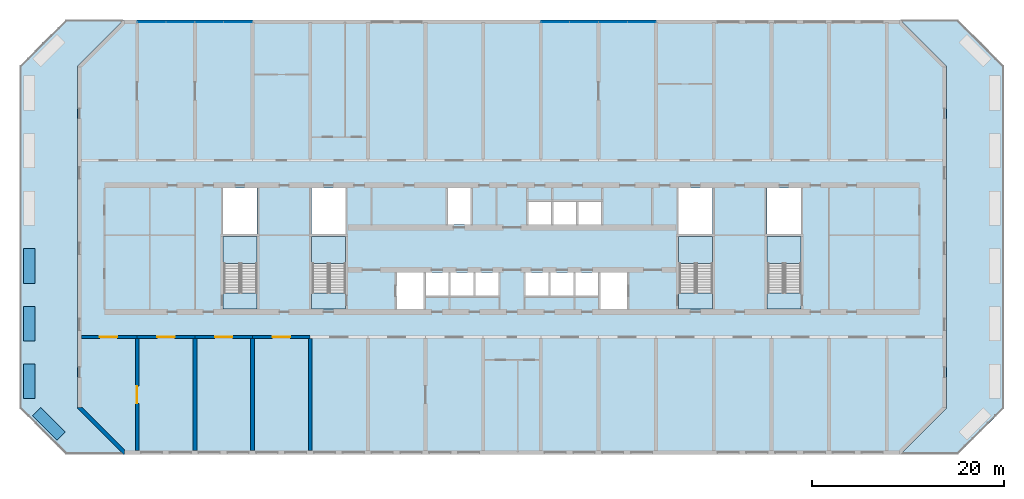
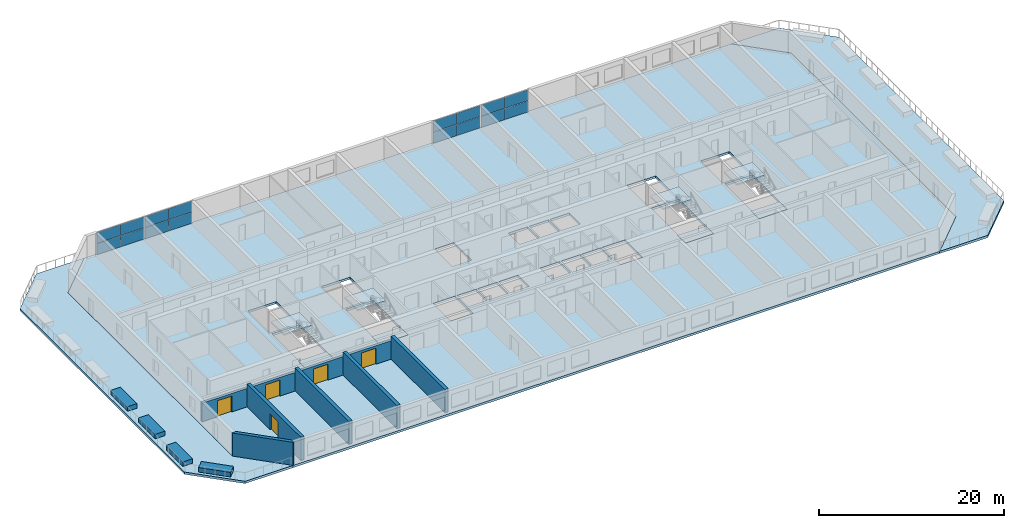
# One storey, part 6 of 21: 16 plates, 13 walls, 11 slabs, 5 doors, 5 openings, 8 elements without a shape of their own.
"""IFC4 building model written with IfcOpenShell, lengths in metres."""

from ifc_helpers import new_model, si_unit, direction, frame, frame_2d, origin, origin_2d, place, context, subcontext, project, spatial, polyline, rectangle, outline, extrude, source, transform, mapped, material, layer, layer_set, type_object, element, fill, aggregate, save


model = new_model("IFC4")

# Units and contexts
model_context = context("Model", 3, precision=1e-05, world=origin(), true_north=direction((0.0, 1.0)))
body_context = subcontext(model_context, "Body", "Model", "MODEL_VIEW")
ifc_project = project(units=[si_unit("LENGTHUNIT", "METRE"), si_unit("AREAUNIT", "SQUARE_METRE"), si_unit("VOLUMEUNIT", "CUBIC_METRE"), si_unit("PLANEANGLEUNIT", "RADIAN"), si_unit("MASSUNIT", "GRAM", prefix="KILO")], contexts=[model_context])

# Site, building, storey
site_placement = place(None, origin())
site = spatial("IfcSite", under=ifc_project, at=site_placement, CompositionType="ELEMENT")
building_placement = place(site_placement, origin())
building = spatial("IfcBuilding", under=site, at=building_placement, Name="Poui Terraces", CompositionType="ELEMENT")
storey_placement = place(building_placement, frame((0.0, 0.0, 53.10009765625)))
storey = spatial("IfcBuildingStorey", under=building, at=storey_placement, Name="L14", CompositionType="ELEMENT", Elevation=53.10009765625)

# Curtain wall, plates
ifc_material_1 = material(Name="Clear glass", Category="glass")
ifc_layer_1 = layer(ifc_material_1, 0.14990234375)
ifc_layer_set_1 = layer_set([ifc_layer_1], Name="Clear glass")
curtain_wall_type = type_object("IfcCurtainWallType", Name="CURTAIN WALL CW-C COMMUNITY HALL GLAZING", PredefinedType="NOTDEFINED", material=ifc_layer_set_1)
curtain_wall_1_placement = place(storey_placement, origin())
curtain_wall_1 = element("IfcCurtainWall", 1, at=curtain_wall_1_placement, inside=storey, type_object=curtain_wall_type, Name="CW-C COMMUNITY HALL GLAZING", PredefinedType="NOTDEFINED")
ifc_layer_2 = layer(ifc_material_1, 0.052001953125)
ifc_layer_set_2 = layer_set([ifc_layer_2], Name="Clear glass")
plate_type = type_object("IfcPlateType", Name="CW-C GLASS PANEL 52", PredefinedType="CURTAIN_PANEL", material=ifc_layer_set_2)
plate_1_placement = place(storey_placement, frame((16.487548828125, 44.800048828125, 0.0498046875), z_axis=(0.0, 0.0, 1.0), x_axis=(-1.0, 0.0, 0.0)))
plate_1 = element("IfcPlate", 2, at=plate_1_placement, type_object=plate_type, Name="CW-C panel 1.1", PredefinedType="CURTAIN_PANEL", context=body_context, shape_type="SweptSolid", body=[
    extrude(rectangle(XDim=2.925048828125, YDim=0.052001953125, at=origin_2d()), origin(), (0.0, 0.0, 1.0), 1.449951171875),
])
plate_2_placement = place(storey_placement, frame((16.487548828125, 44.800048828125, 1.5498046875), z_axis=(0.0, 0.0, 1.0), x_axis=(-1.0, 0.0, 0.0)))
plate_2 = element("IfcPlate", 3, at=plate_2_placement, type_object=plate_type, Name="CW-C panel 1.2", PredefinedType="CURTAIN_PANEL", context=body_context, shape_type="SweptSolid", body=[
    extrude(rectangle(XDim=2.925048828125, YDim=0.052001953125, at=origin_2d()), origin(), (0.0, 0.0, 1.0), 1.449951171875),
])
plate_3_placement = place(storey_placement, frame((13.512451171875, 44.800048828125, 0.0498046875), z_axis=(0.0, 0.0, 1.0), x_axis=(-1.0, 0.0, 0.0)))
plate_3 = element("IfcPlate", 4, at=plate_3_placement, type_object=plate_type, Name="CW-C panel 2.1", PredefinedType="CURTAIN_PANEL", context=body_context, shape_type="SweptSolid", body=[
    extrude(rectangle(XDim=2.925048828125, YDim=0.052001953125, at=origin_2d()), origin(), (0.0, 0.0, 1.0), 1.449951171875),
])
plate_4_placement = place(storey_placement, frame((13.512451171875, 44.800048828125, 1.5498046875), z_axis=(0.0, 0.0, 1.0), x_axis=(-1.0, 0.0, 0.0)))
plate_4 = element("IfcPlate", 5, at=plate_4_placement, type_object=plate_type, Name="CW-C panel 2.2", PredefinedType="CURTAIN_PANEL", context=body_context, shape_type="SweptSolid", body=[
    extrude(rectangle(XDim=2.925048828125, YDim=0.052001953125, at=origin_2d()), origin(), (0.0, 0.0, 1.0), 1.449951171875),
])
aggregate(curtain_wall_1, [plate_1, plate_2, plate_3, plate_4])

curtain_wall_2_placement = place(storey_placement, origin())
curtain_wall_2 = element("IfcCurtainWall", 6, at=curtain_wall_2_placement, inside=storey, type_object=curtain_wall_type, Name="CW-C COMMUNITY HALL GLAZING", PredefinedType="NOTDEFINED")
plate_5_placement = place(storey_placement, frame((22.487548828125, 44.800048828125, 0.0498046875), z_axis=(0.0, 0.0, 1.0), x_axis=(-1.0, 0.0, 0.0)))
plate_5 = element("IfcPlate", 7, at=plate_5_placement, type_object=plate_type, Name="CW-C panel 1.1", PredefinedType="CURTAIN_PANEL", context=body_context, shape_type="SweptSolid", body=[
    extrude(rectangle(XDim=2.925048828125, YDim=0.052001953125, at=origin_2d()), origin(), (0.0, 0.0, 1.0), 1.449951171875),
])
plate_6_placement = place(storey_placement, frame((22.487548828125, 44.800048828125, 1.5498046875), z_axis=(0.0, 0.0, 1.0), x_axis=(-1.0, 0.0, 0.0)))
plate_6 = element("IfcPlate", 8, at=plate_6_placement, type_object=plate_type, Name="CW-C panel 1.2", PredefinedType="CURTAIN_PANEL", context=body_context, shape_type="SweptSolid", body=[
    extrude(rectangle(XDim=2.925048828125, YDim=0.052001953125, at=origin_2d()), origin(), (0.0, 0.0, 1.0), 1.449951171875),
])
plate_7_placement = place(storey_placement, frame((19.512451171875, 44.800048828125, 0.0498046875), z_axis=(0.0, 0.0, 1.0), x_axis=(-1.0, 0.0, 0.0)))
plate_7 = element("IfcPlate", 9, at=plate_7_placement, type_object=plate_type, Name="CW-C panel 2.1", PredefinedType="CURTAIN_PANEL", context=body_context, shape_type="SweptSolid", body=[
    extrude(rectangle(XDim=2.925048828125, YDim=0.052001953125, at=origin_2d()), origin(), (0.0, 0.0, 1.0), 1.449951171875),
])
plate_8_placement = place(storey_placement, frame((19.512451171875, 44.800048828125, 1.5498046875), z_axis=(0.0, 0.0, 1.0), x_axis=(-1.0, 0.0, 0.0)))
plate_8 = element("IfcPlate", 10, at=plate_8_placement, type_object=plate_type, Name="CW-C panel 2.2", PredefinedType="CURTAIN_PANEL", context=body_context, shape_type="SweptSolid", body=[
    extrude(rectangle(XDim=2.925048828125, YDim=0.052001953125, at=origin_2d()), origin(), (0.0, 0.0, 1.0), 1.449951171875),
])
aggregate(curtain_wall_2, [plate_5, plate_6, plate_7, plate_8])

curtain_wall_3_placement = place(storey_placement, origin())
curtain_wall_3 = element("IfcCurtainWall", 11, at=curtain_wall_3_placement, inside=storey, type_object=curtain_wall_type, Name="CW-C COMMUNITY HALL GLAZING", PredefinedType="NOTDEFINED")
plate_9_placement = place(storey_placement, frame((58.487548828125, 44.800048828125, 0.0498046875), z_axis=(0.0, 0.0, 1.0), x_axis=(-1.0, 0.0, 0.0)))
plate_9 = element("IfcPlate", 12, at=plate_9_placement, type_object=plate_type, Name="CW-C panel 1.1", PredefinedType="CURTAIN_PANEL", context=body_context, shape_type="SweptSolid", body=[
    extrude(rectangle(XDim=2.925048828125, YDim=0.052001953125, at=origin_2d()), origin(), (0.0, 0.0, 1.0), 1.449951171875),
])
plate_10_placement = place(storey_placement, frame((58.487548828125, 44.800048828125, 1.5498046875), z_axis=(0.0, 0.0, 1.0), x_axis=(-1.0, 0.0, 0.0)))
plate_10 = element("IfcPlate", 13, at=plate_10_placement, type_object=plate_type, Name="CW-C panel 1.2", PredefinedType="CURTAIN_PANEL", context=body_context, shape_type="SweptSolid", body=[
    extrude(rectangle(XDim=2.925048828125, YDim=0.052001953125, at=origin_2d()), origin(), (0.0, 0.0, 1.0), 1.449951171875),
])
plate_11_placement = place(storey_placement, frame((55.512451171875, 44.800048828125, 0.0498046875), z_axis=(0.0, 0.0, 1.0), x_axis=(-1.0, 0.0, 0.0)))
plate_11 = element("IfcPlate", 14, at=plate_11_placement, type_object=plate_type, Name="CW-C panel 2.1", PredefinedType="CURTAIN_PANEL", context=body_context, shape_type="SweptSolid", body=[
    extrude(rectangle(XDim=2.925048828125, YDim=0.052001953125, at=origin_2d()), origin(), (0.0, 0.0, 1.0), 1.449951171875),
])
plate_12_placement = place(storey_placement, frame((55.512451171875, 44.800048828125, 1.5498046875), z_axis=(0.0, 0.0, 1.0), x_axis=(-1.0, 0.0, 0.0)))
plate_12 = element("IfcPlate", 15, at=plate_12_placement, type_object=plate_type, Name="CW-C panel 2.2", PredefinedType="CURTAIN_PANEL", context=body_context, shape_type="SweptSolid", body=[
    extrude(rectangle(XDim=2.925048828125, YDim=0.052001953125, at=origin_2d()), origin(), (0.0, 0.0, 1.0), 1.449951171875),
])
aggregate(curtain_wall_3, [plate_9, plate_10, plate_11, plate_12])

curtain_wall_4_placement = place(storey_placement, origin())
curtain_wall_4 = element("IfcCurtainWall", 16, at=curtain_wall_4_placement, inside=storey, type_object=curtain_wall_type, Name="CW-C COMMUNITY HALL GLAZING", PredefinedType="NOTDEFINED")
plate_13_placement = place(storey_placement, frame((64.487548828125, 44.800048828125, 0.0498046875), z_axis=(0.0, 0.0, 1.0), x_axis=(-1.0, 0.0, 0.0)))
plate_13 = element("IfcPlate", 17, at=plate_13_placement, type_object=plate_type, Name="CW-C panel 1.1", PredefinedType="CURTAIN_PANEL", context=body_context, shape_type="SweptSolid", body=[
    extrude(rectangle(XDim=2.925048828125, YDim=0.052001953125, at=origin_2d()), origin(), (0.0, 0.0, 1.0), 1.449951171875),
])
plate_14_placement = place(storey_placement, frame((64.487548828125, 44.800048828125, 1.5498046875), z_axis=(0.0, 0.0, 1.0), x_axis=(-1.0, 0.0, 0.0)))
plate_14 = element("IfcPlate", 18, at=plate_14_placement, type_object=plate_type, Name="CW-C panel 1.2", PredefinedType="CURTAIN_PANEL", context=body_context, shape_type="SweptSolid", body=[
    extrude(rectangle(XDim=2.925048828125, YDim=0.052001953125, at=origin_2d()), origin(), (0.0, 0.0, 1.0), 1.449951171875),
])
plate_15_placement = place(storey_placement, frame((61.512451171875, 44.800048828125, 0.0498046875), z_axis=(0.0, 0.0, 1.0), x_axis=(-1.0, 0.0, 0.0)))
plate_15 = element("IfcPlate", 19, at=plate_15_placement, type_object=plate_type, Name="CW-C panel 2.1", PredefinedType="CURTAIN_PANEL", context=body_context, shape_type="SweptSolid", body=[
    extrude(rectangle(XDim=2.925048828125, YDim=0.052001953125, at=origin_2d()), origin(), (0.0, 0.0, 1.0), 1.449951171875),
])
plate_16_placement = place(storey_placement, frame((61.512451171875, 44.800048828125, 1.5498046875), z_axis=(0.0, 0.0, 1.0), x_axis=(-1.0, 0.0, 0.0)))
plate_16 = element("IfcPlate", 20, at=plate_16_placement, type_object=plate_type, Name="CW-C panel 2.2", PredefinedType="CURTAIN_PANEL", context=body_context, shape_type="SweptSolid", body=[
    extrude(rectangle(XDim=2.925048828125, YDim=0.052001953125, at=origin_2d()), origin(), (0.0, 0.0, 1.0), 1.449951171875),
])
aggregate(curtain_wall_4, [plate_13, plate_14, plate_15, plate_16])

# Stair, slabs
ifc_material_2 = material(Name="Concrete 80 MPa", Category="concrete")
stair_type = type_object("IfcStairType", Name="EXIT STAIR 1650 80 MPA", PredefinedType="HALF_TURN_STAIR", material=ifc_material_2)
stair_1_placement = place(storey_placement, origin())
stair_1 = element("IfcStair", 21, at=stair_1_placement, inside=storey, type_object=stair_type, Name="L14 CORE STAIR EAST", PredefinedType="HALF_TURN_STAIR")
ifc_layer_3 = layer(ifc_material_2, 0.199951171875)
ifc_layer_set_3 = layer_set([ifc_layer_3], Name="Concrete 80 MPa")
slab_type_1 = type_object("IfcSlabType", Name="STAIR LANDING 200 80 MPA", PredefinedType="LANDING", material=ifc_layer_set_3)
slab_1_placement = place(storey_placement, frame((0.0, 0.0, 1.44970703125)))
slab_1 = element("IfcSlab", 22, at=slab_1_placement, type_object=slab_type_1, Name="ST-CE landing 1", PredefinedType="LANDING", context=body_context, shape_type="SweptSolid", body=[
    extrude(outline(polyline([(68.324951171875, 19.679931640625), (71.875, 19.679931640625), (71.875, 22.47509765625), (68.324951171875, 22.47509765625), (68.324951171875, 19.679931640625)])), origin(), (0.0, 0.0, 1.0), 0.2001953125),
])
slab_2_placement = place(storey_placement, frame((0.0, 0.0, -0.2001953125)))
slab_2 = element("IfcSlab", 23, at=slab_2_placement, type_object=slab_type_1, Name="ST-CE landing 2", PredefinedType="LANDING", context=body_context, shape_type="SweptSolid", body=[
    extrude(outline(polyline([(68.324951171875, 14.89990234375), (71.875, 14.89990234375), (71.875, 16.60009765625), (68.324951171875, 16.60009765625), (68.324951171875, 14.89990234375)])), origin(), (0.0, 0.0, 1.0), 0.2001953125),
])
aggregate(stair_1, [slab_1, slab_2])

stair_2_placement = place(storey_placement, origin())
stair_2 = element("IfcStair", 24, at=stair_2_placement, inside=storey, type_object=stair_type, Name="L14 CORE STAIR WEST", PredefinedType="HALF_TURN_STAIR")
slab_3_placement = place(storey_placement, frame((0.0, 0.0, 1.44970703125)))
slab_3 = element("IfcSlab", 25, at=slab_3_placement, type_object=slab_type_1, Name="ST-CW landing 1", PredefinedType="LANDING", context=body_context, shape_type="SweptSolid", body=[
    extrude(outline(polyline([(30.125, 19.679931640625), (33.675048828125, 19.679931640625), (33.675048828125, 22.47509765625), (30.125, 22.47509765625), (30.125, 19.679931640625)])), origin(), (0.0, 0.0, 1.0), 0.2001953125),
])
slab_4_placement = place(storey_placement, frame((0.0, 0.0, -0.2001953125)))
slab_4 = element("IfcSlab", 26, at=slab_4_placement, type_object=slab_type_1, Name="ST-CW landing 2", PredefinedType="LANDING", context=body_context, shape_type="SweptSolid", body=[
    extrude(outline(polyline([(30.125, 14.89990234375), (33.675048828125, 14.89990234375), (33.675048828125, 16.60009765625), (30.125, 16.60009765625), (30.125, 14.89990234375)])), origin(), (0.0, 0.0, 1.0), 0.2001953125),
])
aggregate(stair_2, [slab_3, slab_4])

stair_3_placement = place(storey_placement, origin())
stair_3 = element("IfcStair", 27, at=stair_3_placement, inside=storey, type_object=stair_type, Name="L14 TIP STAIR EAST", PredefinedType="HALF_TURN_STAIR")
slab_5_placement = place(storey_placement, frame((0.0, 0.0, 1.44970703125)))
slab_5 = element("IfcSlab", 28, at=slab_5_placement, type_object=slab_type_1, Name="ST-E landing 1", PredefinedType="LANDING", context=body_context, shape_type="SweptSolid", body=[
    extrude(outline(polyline([(77.52490234375, 19.679931640625), (81.074951171875, 19.679931640625), (81.074951171875, 22.47509765625), (77.52490234375, 22.47509765625), (77.52490234375, 19.679931640625)])), origin(), (0.0, 0.0, 1.0), 0.2001953125),
])
slab_6_placement = place(storey_placement, frame((0.0, 0.0, -0.2001953125)))
slab_6 = element("IfcSlab", 29, at=slab_6_placement, type_object=slab_type_1, Name="ST-E landing 2", PredefinedType="LANDING", context=body_context, shape_type="SweptSolid", body=[
    extrude(outline(polyline([(77.52490234375, 14.89990234375), (81.074951171875, 14.89990234375), (81.074951171875, 16.60009765625), (77.52490234375, 16.60009765625), (77.52490234375, 14.89990234375)])), origin(), (0.0, 0.0, 1.0), 0.2001953125),
])
aggregate(stair_3, [slab_5, slab_6])

stair_4_placement = place(storey_placement, origin())
stair_4 = element("IfcStair", 30, at=stair_4_placement, inside=storey, type_object=stair_type, Name="L14 TIP STAIR WEST", PredefinedType="HALF_TURN_STAIR")
slab_7_placement = place(storey_placement, frame((0.0, 0.0, 1.44970703125)))
slab_7 = element("IfcSlab", 31, at=slab_7_placement, type_object=slab_type_1, Name="ST-W landing 1", PredefinedType="LANDING", context=body_context, shape_type="SweptSolid", body=[
    extrude(outline(polyline([(20.925048828125, 19.679931640625), (24.47509765625, 19.679931640625), (24.47509765625, 22.47509765625), (20.925048828125, 22.47509765625), (20.925048828125, 19.679931640625)])), origin(), (0.0, 0.0, 1.0), 0.2001953125),
])
slab_8_placement = place(storey_placement, frame((0.0, 0.0, -0.2001953125)))
slab_8 = element("IfcSlab", 32, at=slab_8_placement, type_object=slab_type_1, Name="ST-W landing 2", PredefinedType="LANDING", context=body_context, shape_type="SweptSolid", body=[
    extrude(outline(polyline([(20.925048828125, 14.89990234375), (24.47509765625, 14.89990234375), (24.47509765625, 16.60009765625), (20.925048828125, 16.60009765625), (20.925048828125, 14.89990234375)])), origin(), (0.0, 0.0, 1.0), 0.2001953125),
])
aggregate(stair_4, [slab_7, slab_8])

# Slabs
ifc_material_3 = material(Name="Concrete 40 MPa", Category="concrete")
ifc_layer_4 = layer(ifc_material_3, 0.300048828125)
ifc_layer_set_4 = layer_set([ifc_layer_4], Name="Concrete 40 MPa")
slab_type_2 = type_object("IfcSlabType", Name="FLOOR SLAB 300", PredefinedType="FLOOR", material=ifc_layer_set_4)
shared_shape_1 = source(origin(), body_context, "Body", "SweptSolid", [
    extrude(outline(polyline([(0.0, 0.0), (4.800048828125, -4.800048828125), (85.599853515625, -4.800048828125), (90.39990234375, 0.0), (90.39990234375, 35.599853515625), (85.599853515625, 40.39990234375), (4.800048828125, 40.39990234375), (0.0, 35.599853515625), (0.0, 0.0)]), holes=[polyline([(33.199951171875, 10.2998046875), (33.199951171875, 14.099853515625), (36.0, 14.099853515625), (36.0, 10.2998046875), (33.199951171875, 10.2998046875)]), polyline([(36.199951171875, 11.699951171875), (36.199951171875, 14.099853515625), (38.599853515625, 14.099853515625), (38.599853515625, 11.699951171875), (36.199951171875, 11.699951171875)]), polyline([(38.800048828125, 11.699951171875), (38.800048828125, 14.099853515625), (41.199951171875, 14.099853515625), (41.199951171875, 11.699951171875), (38.800048828125, 11.699951171875)]), polyline([(41.39990234375, 14.099853515625), (43.800048828125, 14.099853515625), (43.800048828125, 11.699951171875), (41.39990234375, 11.699951171875), (41.39990234375, 14.099853515625)]), polyline([(46.599853515625, 14.099853515625), (49.0, 14.099853515625), (49.0, 11.699951171875), (46.599853515625, 11.699951171875), (46.599853515625, 14.099853515625)]), polyline([(15.224853515625, 17.849853515625), (18.675048828125, 17.849853515625), (18.675048828125, 12.0), (18.675048828125, 10.2998046875), (15.125, 10.2998046875), (15.125, 12.0), (15.224853515625, 12.0), (15.224853515625, 17.849853515625)]), polyline([(24.425048828125, 17.849853515625), (27.875, 17.849853515625), (27.875, 12.0), (27.875, 10.2998046875), (24.324951171875, 10.2998046875), (24.324951171875, 12.0), (24.425048828125, 12.0), (24.425048828125, 17.849853515625)]), polyline([(15.125, 18.125), (15.125, 22.89990234375), (18.675048828125, 22.89990234375), (18.675048828125, 18.125), (15.125, 18.125)]), polyline([(24.324951171875, 22.89990234375), (27.875, 22.89990234375), (27.875, 18.125), (24.324951171875, 18.125), (24.324951171875, 22.89990234375)]), polyline([(38.5, 22.89990234375), (40.89990234375, 22.89990234375), (40.89990234375, 19.099853515625), (38.5, 19.099853515625), (38.5, 22.89990234375)]), polyline([(54.39990234375, 10.2998046875), (54.39990234375, 14.099853515625), (57.199951171875, 14.099853515625), (57.199951171875, 10.2998046875), (54.39990234375, 10.2998046875)]), polyline([(49.199951171875, 11.699951171875), (49.199951171875, 14.099853515625), (51.599853515625, 14.099853515625), (51.599853515625, 11.699951171875), (49.199951171875, 11.699951171875)]), polyline([(51.800048828125, 11.699951171875), (51.800048828125, 14.099853515625), (54.199951171875, 14.099853515625), (54.199951171875, 11.699951171875), (51.800048828125, 11.699951171875)]), polyline([(66.074951171875, 17.849853515625), (66.074951171875, 12.0), (66.074951171875, 10.2998046875), (62.52490234375, 10.2998046875), (62.52490234375, 12.0), (62.625, 12.0), (62.625, 17.849853515625), (66.074951171875, 17.849853515625)]), polyline([(75.27490234375, 17.849853515625), (75.27490234375, 12.0), (75.27490234375, 10.2998046875), (71.724853515625, 10.2998046875), (71.724853515625, 12.0), (71.824951171875, 12.0), (71.824951171875, 17.849853515625), (75.27490234375, 17.849853515625)]), polyline([(46.89990234375, 19.099853515625), (46.89990234375, 21.5), (49.300048828125, 21.5), (49.300048828125, 19.099853515625), (46.89990234375, 19.099853515625)]), polyline([(49.5, 19.099853515625), (49.5, 21.5), (51.89990234375, 21.5), (51.89990234375, 19.099853515625), (49.5, 19.099853515625)]), polyline([(52.099853515625, 19.099853515625), (52.099853515625, 21.5), (54.5, 21.5), (54.5, 19.099853515625), (52.099853515625, 19.099853515625)]), polyline([(62.52490234375, 22.89990234375), (66.074951171875, 22.89990234375), (66.074951171875, 18.125), (62.52490234375, 18.125), (62.52490234375, 22.89990234375)]), polyline([(71.724853515625, 22.89990234375), (75.27490234375, 22.89990234375), (75.27490234375, 18.125), (71.724853515625, 18.125), (71.724853515625, 22.89990234375)])]), origin(), (0.0, 0.0, 1.0), 0.30029296875),
])
slab_9_placement = place(storey_placement, frame((5.800048828125, 4.60009765625, -0.30029296875)))
element("IfcSlab", 33, at=slab_9_placement, inside=storey, type_object=slab_type_2, Name="FLOOR SLAB", PredefinedType="FLOOR", context=body_context, shape_type="MappedRepresentation", body=[
    mapped(shared_shape_1, transform((0.0, 0.0, 0.0))),
])
ifc_layer_5 = layer(ifc_material_3, 0.300048828125)
ifc_layer_set_5 = layer_set([ifc_layer_5], Name="Concrete 40 MPa")
slab_type_3 = type_object("IfcSlabType", Name="TIP TERRACE SLAB 300", PredefinedType="FLOOR", material=ifc_layer_set_5)
shared_shape_2 = source(origin(), body_context, "Body", "SweptSolid", [
    extrude(outline(polyline([(0.0, 0.0), (6.0, 0.0), (1.199951171875, 4.800048828125), (1.199951171875, 40.39990234375), (6.0, 45.199951171875), (0.0, 45.199951171875), (-4.800048828125, 40.39990234375), (-4.800048828125, 4.800048828125), (0.0, 0.0)])), origin(), (0.0, 0.0, 1.0), 0.30029296875),
])
slab_10_placement = place(storey_placement, frame((4.60009765625, -0.199951171875, -0.30029296875)))
element("IfcSlab", 34, at=slab_10_placement, inside=storey, type_object=slab_type_3, Name="TIP TERRACE SLAB", PredefinedType="FLOOR", context=body_context, shape_type="MappedRepresentation", body=[
    mapped(shared_shape_2, transform((0.0, 0.0, 0.0))),
])
shared_shape_3 = source(origin(), body_context, "Body", "SweptSolid", [
    extrude(outline(polyline([(0.0, 0.0), (-6.0, 0.0), (-1.199951171875, -4.800048828125), (-1.199951171875, -40.39990234375), (-6.0, -45.199951171875), (0.0, -45.199951171875), (4.800048828125, -40.39990234375), (4.800048828125, -4.800048828125), (0.0, 0.0)])), origin(), (0.0, 0.0, 1.0), 0.30029296875),
])
slab_11_placement = place(storey_placement, frame((97.39990234375, 45.0, -0.30029296875)))
element("IfcSlab", 35, at=slab_11_placement, inside=storey, type_object=slab_type_3, Name="TIP TERRACE SLAB", PredefinedType="FLOOR", context=body_context, shape_type="MappedRepresentation", body=[
    mapped(shared_shape_3, transform((0.0, 0.0, 0.0))),
])

# Wall, opening, door
ifc_layer_6 = layer(ifc_material_2, 0.300048828125)
ifc_layer_set_6 = layer_set([ifc_layer_6], Name="Concrete 80 MPa")
wall_type_1 = type_object("IfcWallType", Name="CORRIDOR WALL 300 80MPa", PredefinedType="SHEAR", material=ifc_layer_set_6)
wall_1_placement = place(storey_placement, frame((6.199951171875, 12.0, 0.0), z_axis=(0.0, 0.0, 1.0), x_axis=(1.0, 0.0, 0.0)))
wall_1 = element("IfcWall", 36, at=wall_1_placement, inside=storey, type_object=wall_type_1, Name="CORRIDOR WALL LINE B BAY 1", PredefinedType="SHEAR", context=body_context, shape_type="SweptSolid", body=[
    extrude(rectangle(XDim=5.800048828125, YDim=0.300048828125, at=frame_2d((2.89990234375, 0.0))), origin(), (0.0, 0.0, 1.0), 2.449951171875),
])
opening_1_placement = place(wall_1_placement, frame((1.89990234375, 0.0, 0.0)))
opening_1 = element("IfcOpeningElement", 37, at=opening_1_placement, cuts=wall_1, Name="Opening DD180", PredefinedType="OPENING", context=body_context, shape_type="SweptSolid", body=[
    extrude(rectangle(XDim=1.800048828125, YDim=2.10009765625, at=frame_2d((0.89990234375, 1.050048828125))), frame((0.0, 0.16015625, 0.0), z_axis=(0.0, -1.0, 0.0), x_axis=(1.0, 0.0, 0.0)), (0.0, 0.0, 1.0), 0.320068359375),
])
ifc_material_4 = material(Name="Steel fire door", Category="steel")
door_type = type_object("IfcDoorType", Name="DOUBLE INTERNAL DOOR 1800 X 2100", OperationType="DOUBLE_DOOR_SINGLE_SWING", PredefinedType="DOOR", material=ifc_material_4)
door_1_placement = place(opening_1_placement, origin())
door_1 = element("IfcDoor", 38, at=door_1_placement, inside=storey, type_object=door_type, Name="DOUBLE INTERNAL DOOR 036", OperationType="DOUBLE_DOOR_SINGLE_SWING", OverallHeight=2.10009765625, OverallWidth=1.800048828125, PredefinedType="DOOR", context=body_context, shape_type="SweptSolid", body=[
    extrude(rectangle(XDim=1.800048828125, YDim=2.10009765625, at=frame_2d((0.89990234375, 1.050048828125))), frame((0.0, 0.02490234375, 0.0), z_axis=(0.0, -1.0, 0.0), x_axis=(1.0, 0.0, 0.0)), (0.0, 0.0, 1.0), 0.050048828125),
])
fill(opening_1, door_1)

wall_2_placement = place(storey_placement, frame((12.0, 12.0, 0.0), z_axis=(0.0, 0.0, 1.0), x_axis=(1.0, 0.0, 0.0)))
wall_2 = element("IfcWall", 39, at=wall_2_placement, inside=storey, type_object=wall_type_1, Name="CORRIDOR WALL LINE B BAY 2", PredefinedType="SHEAR", context=body_context, shape_type="SweptSolid", body=[
    extrude(rectangle(XDim=6.0, YDim=0.300048828125, at=frame_2d((3.0, 0.0))), origin(), (0.0, 0.0, 1.0), 2.449951171875),
])
opening_2_placement = place(wall_2_placement, frame((2.10009765625, 0.0, 0.0)))
opening_2 = element("IfcOpeningElement", 40, at=opening_2_placement, cuts=wall_2, Name="Opening DD180", PredefinedType="OPENING", context=body_context, shape_type="SweptSolid", body=[
    extrude(rectangle(XDim=1.800048828125, YDim=2.10009765625, at=frame_2d((0.89990234375, 1.050048828125))), frame((0.0, 0.16015625, 0.0), z_axis=(0.0, -1.0, 0.0), x_axis=(1.0, 0.0, 0.0)), (0.0, 0.0, 1.0), 0.320068359375),
])
door_2_placement = place(opening_2_placement, origin())
door_2 = element("IfcDoor", 41, at=door_2_placement, inside=storey, type_object=door_type, Name="DOUBLE INTERNAL DOOR 037", OperationType="DOUBLE_DOOR_SINGLE_SWING", OverallHeight=2.10009765625, OverallWidth=1.800048828125, PredefinedType="DOOR", context=body_context, shape_type="SweptSolid", body=[
    extrude(rectangle(XDim=1.800048828125, YDim=2.10009765625, at=frame_2d((0.89990234375, 1.050048828125))), frame((0.0, 0.02490234375, 0.0), z_axis=(0.0, -1.0, 0.0), x_axis=(1.0, 0.0, 0.0)), (0.0, 0.0, 1.0), 0.050048828125),
])
fill(opening_2, door_2)

wall_3_placement = place(storey_placement, frame((18.0, 12.0, 0.0), z_axis=(0.0, 0.0, 1.0), x_axis=(1.0, 0.0, 0.0)))
wall_3 = element("IfcWall", 42, at=wall_3_placement, inside=storey, type_object=wall_type_1, Name="CORRIDOR WALL LINE B BAY 3", PredefinedType="SHEAR", context=body_context, shape_type="SweptSolid", body=[
    extrude(rectangle(XDim=6.0, YDim=0.300048828125, at=frame_2d((3.0, 0.0))), origin(), (0.0, 0.0, 1.0), 2.449951171875),
])
opening_3_placement = place(wall_3_placement, frame((2.10009765625, 0.0, 0.0)))
opening_3 = element("IfcOpeningElement", 43, at=opening_3_placement, cuts=wall_3, Name="Opening DD180", PredefinedType="OPENING", context=body_context, shape_type="SweptSolid", body=[
    extrude(rectangle(XDim=1.800048828125, YDim=2.10009765625, at=frame_2d((0.89990234375, 1.050048828125))), frame((0.0, 0.16015625, 0.0), z_axis=(0.0, -1.0, 0.0), x_axis=(1.0, 0.0, 0.0)), (0.0, 0.0, 1.0), 0.320068359375),
])
door_3_placement = place(opening_3_placement, origin())
door_3 = element("IfcDoor", 44, at=door_3_placement, inside=storey, type_object=door_type, Name="DOUBLE INTERNAL DOOR 040", OperationType="DOUBLE_DOOR_SINGLE_SWING", OverallHeight=2.10009765625, OverallWidth=1.800048828125, PredefinedType="DOOR", context=body_context, shape_type="SweptSolid", body=[
    extrude(rectangle(XDim=1.800048828125, YDim=2.10009765625, at=frame_2d((0.89990234375, 1.050048828125))), frame((0.0, 0.02490234375, 0.0), z_axis=(0.0, -1.0, 0.0), x_axis=(1.0, 0.0, 0.0)), (0.0, 0.0, 1.0), 0.050048828125),
])
fill(opening_3, door_3)

wall_4_placement = place(storey_placement, frame((24.0, 12.0, 0.0), z_axis=(0.0, 0.0, 1.0), x_axis=(1.0, 0.0, 0.0)))
wall_4 = element("IfcWall", 45, at=wall_4_placement, inside=storey, type_object=wall_type_1, Name="CORRIDOR WALL LINE B BAY 4", PredefinedType="SHEAR", context=body_context, shape_type="SweptSolid", body=[
    extrude(rectangle(XDim=6.0, YDim=0.300048828125, at=frame_2d((3.0, 0.0))), origin(), (0.0, 0.0, 1.0), 2.449951171875),
])
opening_4_placement = place(wall_4_placement, frame((2.10009765625, 0.0, 0.0)))
opening_4 = element("IfcOpeningElement", 46, at=opening_4_placement, cuts=wall_4, Name="Opening DD180", PredefinedType="OPENING", context=body_context, shape_type="SweptSolid", body=[
    extrude(rectangle(XDim=1.800048828125, YDim=2.10009765625, at=frame_2d((0.89990234375, 1.050048828125))), frame((0.0, 0.16015625, 0.0), z_axis=(0.0, -1.0, 0.0), x_axis=(1.0, 0.0, 0.0)), (0.0, 0.0, 1.0), 0.320068359375),
])
door_4_placement = place(opening_4_placement, origin())
door_4 = element("IfcDoor", 47, at=door_4_placement, inside=storey, type_object=door_type, Name="DOUBLE INTERNAL DOOR 041", OperationType="DOUBLE_DOOR_SINGLE_SWING", OverallHeight=2.10009765625, OverallWidth=1.800048828125, PredefinedType="DOOR", context=body_context, shape_type="SweptSolid", body=[
    extrude(rectangle(XDim=1.800048828125, YDim=2.10009765625, at=frame_2d((0.89990234375, 1.050048828125))), frame((0.0, 0.02490234375, 0.0), z_axis=(0.0, -1.0, 0.0), x_axis=(1.0, 0.0, 0.0)), (0.0, 0.0, 1.0), 0.050048828125),
])
fill(opening_4, door_4)

ifc_layer_7 = layer(ifc_material_2, 0.39990234375)
ifc_layer_set_7 = layer_set([ifc_layer_7], Name="Concrete 80 MPa")
wall_type_2 = type_object("IfcWallType", Name="CROSS WALL 400 80MPa", PredefinedType="SHEAR", material=ifc_layer_set_7)
wall_5_placement = place(storey_placement, frame((12.0, 0.199951171875, 0.0), z_axis=(0.0, 0.0, 1.0), x_axis=(0.0, 1.0, 0.0)))
wall_5 = element("IfcWall", 48, at=wall_5_placement, inside=storey, type_object=wall_type_2, Name="CROSS WALL LINE 3 SOUTH", PredefinedType="SHEAR", context=body_context, shape_type="SweptSolid", body=[
    extrude(rectangle(XDim=11.650146484375, YDim=0.39990234375, at=frame_2d((5.8251953125, 0.0))), origin(), (0.0, 0.0, 1.0), 3.0498046875),
])
opening_5_placement = place(wall_5_placement, frame((4.89990234375, 0.0, 0.0)))
opening_5 = element("IfcOpeningElement", 49, at=opening_5_placement, cuts=wall_5, Name="Opening DD180", PredefinedType="OPENING", context=body_context, shape_type="SweptSolid", body=[
    extrude(rectangle(XDim=1.800048828125, YDim=2.10009765625, at=frame_2d((0.89990234375, 1.050048828125))), frame((0.0, 0.2099609375, 0.0), z_axis=(0.0, -1.0, 0.0), x_axis=(1.0, 0.0, 0.0)), (0.0, 0.0, 1.0), 0.419921875),
])
door_5_placement = place(opening_5_placement, origin())
door_5 = element("IfcDoor", 50, at=door_5_placement, inside=storey, type_object=door_type, Name="DOUBLE INTERNAL DOOR 076", OperationType="DOUBLE_DOOR_SINGLE_SWING", OverallHeight=2.10009765625, OverallWidth=1.800048828125, PredefinedType="DOOR", context=body_context, shape_type="SweptSolid", body=[
    extrude(rectangle(XDim=1.800048828125, YDim=2.10009765625, at=frame_2d((0.89990234375, 1.050048828125))), frame((0.0, 0.02490234375, 0.0), z_axis=(0.0, -1.0, 0.0), x_axis=(1.0, 0.0, 0.0)), (0.0, 0.0, 1.0), 0.050048828125),
])
fill(opening_5, door_5)

# Walls
for number, where, z_axis, x_axis, name in (
    (51, (18.0, 0.199951171875, 0.0), (0.0, 0.0, 1.0), (0.0, 1.0, 0.0), "CROSS WALL LINE 4 SOUTH"),
    (52, (24.0, 0.199951171875, 0.0), (0.0, 0.0, 1.0), (0.0, 1.0, 0.0), "CROSS WALL LINE 5 SOUTH"),
    (53, (30.0, 0.199951171875, 0.0), (0.0, 0.0, 1.0), (0.0, 1.0, 0.0), "CROSS WALL LINE 6 SOUTH"),
):
    element("IfcWall", number, at=place(storey_placement, frame(where, z_axis=z_axis, x_axis=x_axis)), inside=storey, type_object=wall_type_2, Name=name, PredefinedType="SHEAR", context=body_context, shape_type="SweptSolid", body=[
        extrude(rectangle(XDim=11.650146484375, YDim=0.39990234375, at=frame_2d((5.8251953125, 0.0))), origin(), (0.0, 0.0, 1.0), 3.0498046875),
    ])
ifc_material_5 = material(Name="Precast concrete 40 MPa", Category="concrete")
ifc_layer_8 = layer(ifc_material_5, 0.39990234375)
ifc_layer_set_8 = layer_set([ifc_layer_8], Name="Precast concrete 40 MPa")
wall_type_3 = type_object("IfcWallType", Name="TERRACOTTA CLAD CHAMFER WALL 400", PredefinedType="STANDARD", material=ifc_layer_set_8)
wall_6_placement = place(storey_placement, origin())
element("IfcWall", 54, at=wall_6_placement, inside=storey, type_object=wall_type_3, Name="CHAMFER WALL CH07", PredefinedType="STANDARD", context=body_context, shape_type="SweptSolid", body=[
    extrude(outline(polyline([(5.800048828125, 4.682861328125), (5.800048828125, 4.60009765625), (10.60009765625, -0.199951171875), (10.682861328125, -0.199951171875), (10.682861328125, 0.28271484375), (6.28271484375, 4.682861328125), (5.800048828125, 4.682861328125)])), origin(), (0.0, 0.0, 1.0), 3.0498046875),
])
ifc_layer_9 = layer(ifc_material_5, 1.199951171875)
ifc_layer_set_9 = layer_set([ifc_layer_9], Name="Precast concrete 40 MPa")
wall_type_4 = type_object("IfcWallType", Name="PLANTER 600", PredefinedType="USERDEFINED", material=ifc_layer_set_9)
shared_shape_4 = source(origin(), body_context, "Body", "SweptSolid", [
    extrude(outline(polyline([(0.0, 0.0), (2.545654296875, -2.54541015625), (3.39404296875, -1.697021484375), (0.8486328125, 0.8486328125), (0.0, 0.0)])), origin(), (0.0, 0.0, 1.0), 0.599853515625),
])
wall_7_placement = place(storey_placement, frame((1.10546875, 3.831787109375, 0.0)))
element("IfcWall", 55, at=wall_7_placement, inside=storey, type_object=wall_type_4, Name="PLANTER", ObjectType="PLANTER", PredefinedType="USERDEFINED", context=body_context, shape_type="MappedRepresentation", body=[
    mapped(shared_shape_4, transform((0.0, 0.0, 0.0))),
])
shared_shape_5 = source(origin(), body_context, "Body", "SweptSolid", [
    extrude(outline(polyline([(0.0, 0.0), (1.199951171875, 0.0), (1.199951171875, 3.599853515625), (0.0, 3.599853515625), (0.0, 0.0)])), origin(), (0.0, 0.0, 1.0), 0.599853515625),
])
for number, where, name in (
    (56, (0.179931640625, 5.60009765625, 0.0), "PLANTER"),
    (57, (0.179931640625, 11.60009765625, 0.0), "PLANTER"),
    (58, (0.179931640625, 17.60009765625, 0.0), "PLANTER"),
):
    element("IfcWall", number, at=place(storey_placement, frame(where)), inside=storey, type_object=wall_type_4, Name=name, ObjectType="PLANTER", PredefinedType="USERDEFINED", context=body_context, shape_type="MappedRepresentation", body=[
        mapped(shared_shape_5, transform((0.0, 0.0, 0.0))),
    ])

save(model, "model.ifc")
